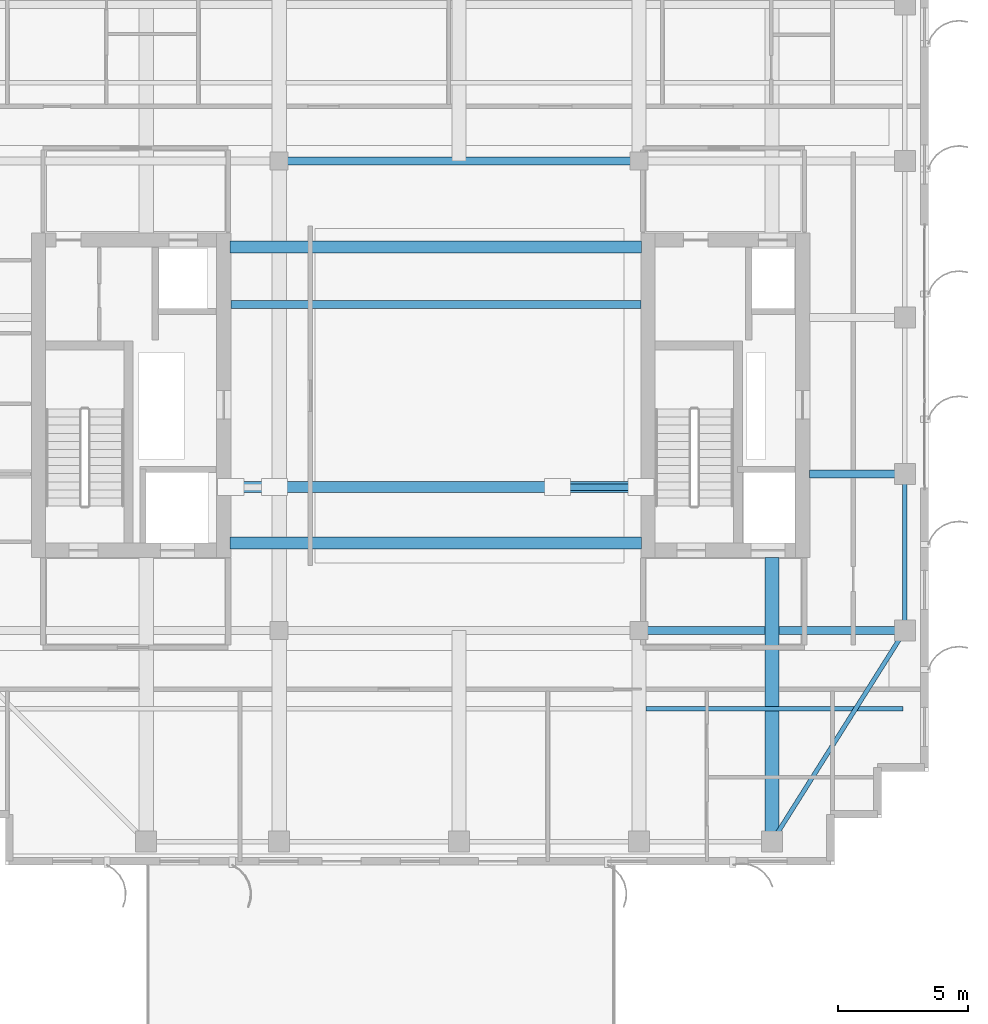
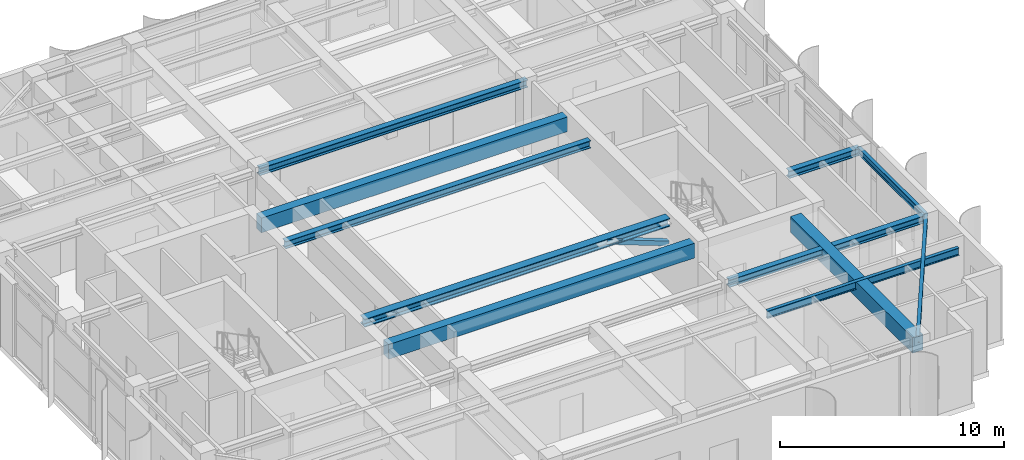
# One storey, part 5 of 19: 10 beams, 2 members.
"""IFC4 building model written with IfcOpenShell, lengths in metres."""

from ifc_helpers import new_model, si_unit, direction, frame, origin, origin_2d, place, context, subcontext, project, spatial, rectangle, hollow_rectangle, i_section, extrude, source, transform, mapped, material, material_profile, profile_set, type_object, element, save


model = new_model("IFC4")

# Units and contexts
model_context = context("Model", 3, precision=1e-05, world=origin(), true_north=direction((0.0, 1.0)))
body_context = subcontext(model_context, "Body", "Model", "MODEL_VIEW")
ifc_project = project(units=[si_unit("LENGTHUNIT", "METRE"), si_unit("AREAUNIT", "SQUARE_METRE"), si_unit("VOLUMEUNIT", "CUBIC_METRE"), si_unit("PLANEANGLEUNIT", "RADIAN"), si_unit("MASSUNIT", "GRAM", prefix="KILO")], contexts=[model_context])

# Site, building, storey
site_placement = place(None, origin())
site = spatial("IfcSite", under=ifc_project, at=site_placement, CompositionType="ELEMENT")
building_placement = place(site_placement, origin())
building = spatial("IfcBuilding", under=site, at=building_placement, Name="Khoralis Quay Care Tower", CompositionType="ELEMENT")
storey_placement = place(building_placement, frame((0.0, 0.0, 285.300048828125)))
storey = spatial("IfcBuildingStorey", under=building, at=storey_placement, Name="L75", CompositionType="ELEMENT", Elevation=285.300048828125)

# Beams
ifc_material_1 = material(Name="Concrete C50/60", Category="concrete")
ifc_material_profile_1 = material_profile(ifc_material_1, rectangle(XDim=0.449951171875, YDim=0.800048828125, at=origin_2d()), Name="Concrete C50/60")
ifc_profile_set_1 = profile_set([ifc_material_profile_1], Name="Concrete C50/60")
beam_type_1 = type_object("IfcBeamType", Name="CB-RC450X800", PredefinedType="LINTEL", material=ifc_profile_set_1)
shared_shape_1 = source(origin(), body_context, "Body", "SweptSolid", [
    extrude(rectangle(XDim=0.449951171875, YDim=0.800048828125, at=origin_2d()), origin(), (0.0, 0.0, 1.0), 15.780029296875),
])
for number, where, z_axis, x_axis, name in (
    (1, (15.219970703125, 15.35009765625, 3.52001953125), (1.0, 0.0, 0.0), (0.0, 1.0, 0.0), "L75 South Core Coupling Lintel"),
    (2, (15.219970703125, 26.699951171875, 3.52001953125), (1.0, 0.0, 0.0), (0.0, 1.0, 0.0), "L75 North Core Coupling Lintel"),
):
    element("IfcBeam", number, at=place(storey_placement, frame(where, z_axis=z_axis, x_axis=x_axis)), inside=storey, type_object=beam_type_1, Name=name, PredefinedType="LINTEL", context=body_context, shape_type="MappedRepresentation", body=[
        mapped(shared_shape_1, transform((0.0, 0.0, 0.0), scale=1.0)),
    ])
ifc_material_2 = material(Name="Steel S355", Category="steel")
ifc_material_profile_2 = material_profile(ifc_material_2, i_section(OverallWidth=0.169921875, OverallDepth=0.360107421875, WebThickness=0.008056640625, FlangeThickness=0.0126953125, FilletRadius=0.01806640625, at=origin_2d()), Name="Steel S355")
ifc_profile_set_2 = profile_set([ifc_material_profile_2], Name="Steel S355")
beam_type_2 = type_object("IfcBeamType", Name="BM-IPE360", PredefinedType="SPANDREL", material=ifc_profile_set_2)
shared_shape_2 = source(origin(), body_context, "Body", "SweptSolid", [
    extrude(i_section(OverallWidth=0.169921875, OverallDepth=0.360107421875, WebThickness=0.008056640625, FlangeThickness=0.0126953125, FilletRadius=0.01806640625, at=origin_2d()), origin(), (0.0, 0.0, 1.0), 6.0),
])
beam_1_placement = place(storey_placement, frame((41.10009765625, 12.0, 3.739990234375), z_axis=(0.0, 1.0, 0.0), x_axis=(-1.0, 0.0, 0.0)))
element("IfcBeam", 3, at=beam_1_placement, inside=storey, type_object=beam_type_2, Name="BM-TSP-L75-13", PredefinedType="SPANDREL", context=body_context, shape_type="MappedRepresentation", body=[
    mapped(shared_shape_2, transform((0.0, 0.0, 0.0), scale=1.0)),
])
shared_shape_3 = source(origin(), body_context, "Body", "SweptSolid", [
    extrude(i_section(OverallWidth=0.169921875, OverallDepth=0.360107421875, WebThickness=0.008056640625, FlangeThickness=0.0126953125, FilletRadius=0.01806640625, at=origin_2d()), origin(), (0.0, 0.0, 1.0), 9.572021484375),
])
beam_2_placement = place(storey_placement, frame((36.0, 3.89990234375, 3.739990234375), z_axis=(0.532815975602, 0.846231136359, 0.0), x_axis=(-0.846231136359, 0.532815975602, 0.0)))
element("IfcBeam", 4, at=beam_2_placement, inside=storey, type_object=beam_type_2, Name="BM-TCR-L75-18", PredefinedType="SPANDREL", context=body_context, shape_type="MappedRepresentation", body=[
    mapped(shared_shape_3, transform((0.0, 0.0, 0.0), scale=1.0)),
])
ifc_material_profile_3 = material_profile(ifc_material_2, i_section(OverallWidth=0.300048828125, OverallDepth=0.39990234375, WebThickness=0.013427734375, FlangeThickness=0.02392578125, FilletRadius=0.027099609375, at=origin_2d()), Name="Steel S355")
ifc_profile_set_3 = profile_set([ifc_material_profile_3], Name="Steel S355")
beam_type_3 = type_object("IfcBeamType", Name="BM-HEB400", PredefinedType="BEAM", material=ifc_profile_set_3)
shared_shape_4 = source(origin(), body_context, "Body", "SweptSolid", [
    extrude(i_section(OverallWidth=0.300048828125, OverallDepth=0.39990234375, WebThickness=0.013427734375, FlangeThickness=0.02392578125, FilletRadius=0.027099609375, at=origin_2d()), origin(), (0.0, 0.0, 1.0), 10.2001953125),
])
beam_3_placement = place(storey_placement, frame((30.89990234375, 12.0, 3.719970703125), z_axis=(1.0, 0.0, 0.0), x_axis=(0.0, 1.0, 0.0)))
element("IfcBeam", 5, at=beam_3_placement, inside=storey, type_object=beam_type_3, Name="BM-TGXE-L75-120", PredefinedType="BEAM", context=body_context, shape_type="MappedRepresentation", body=[
    mapped(shared_shape_4, transform((0.0, 0.0, 0.0), scale=1.0)),
])
shared_shape_5 = source(origin(), body_context, "Body", "SweptSolid", [
    extrude(i_section(OverallWidth=0.300048828125, OverallDepth=0.39990234375, WebThickness=0.013427734375, FlangeThickness=0.02392578125, FilletRadius=0.027099609375, at=origin_2d()), origin(), (0.0, 0.0, 1.0), 3.652099609375),
])
beam_4_placement = place(storey_placement, frame((37.447998046875, 18.0, 3.719970703125), z_axis=(1.0, 0.0, 0.0), x_axis=(0.0, 1.0, 0.0)))
element("IfcBeam", 6, at=beam_4_placement, inside=storey, type_object=beam_type_3, Name="BM-TGXE-L75-180", PredefinedType="BEAM", context=body_context, shape_type="MappedRepresentation", body=[
    mapped(shared_shape_5, transform((0.0, 0.0, 0.0), scale=1.0)),
])
ifc_material_profile_4 = material_profile(ifc_material_1, rectangle(XDim=0.550048828125, YDim=0.85009765625, at=origin_2d()), Name="Concrete C50/60")
ifc_profile_set_4 = profile_set([ifc_material_profile_4], Name="Concrete C50/60")
beam_type_4 = type_object("IfcBeamType", Name="BM-RC550X850", PredefinedType="BEAM", material=ifc_profile_set_4)
shared_shape_6 = source(origin(), body_context, "Body", "SweptSolid", [
    extrude(rectangle(XDim=0.550048828125, YDim=0.85009765625, at=origin_2d()), origin(), (0.0, 0.0, 1.0), 10.902099609375),
])
beam_5_placement = place(storey_placement, frame((36.0, 3.89990234375, 3.494873046875), z_axis=(0.0, 1.0, 0.0), x_axis=(-1.0, 0.0, 0.0)))
element("IfcBeam", 7, at=beam_5_placement, inside=storey, type_object=beam_type_4, Name="BM-TGYS-L75-360", PredefinedType="BEAM", context=body_context, shape_type="MappedRepresentation", body=[
    mapped(shared_shape_6, transform((0.0, 0.0, 0.0), scale=1.0)),
])
ifc_material_profile_5 = material_profile(ifc_material_2, i_section(OverallWidth=0.177978515625, OverallDepth=0.406982421875, WebThickness=0.0078125, FlangeThickness=0.0126953125, FilletRadius=0.012939453125, at=origin_2d()), Name="Steel S355")
ifc_profile_set_5 = profile_set([ifc_material_profile_5], Name="Steel S355")
beam_type_5 = type_object("IfcBeamType", Name="BM-W410X60", PredefinedType="JOIST", material=ifc_profile_set_5)
shared_shape_7 = source(origin(), body_context, "Body", "SweptSolid", [
    extrude(i_section(OverallWidth=0.177978515625, OverallDepth=0.406982421875, WebThickness=0.0078125, FlangeThickness=0.0126953125, FilletRadius=0.012939453125, at=origin_2d()), origin(), (0.0, 0.0, 1.0), 9.865966796875),
])
beam_6_placement = place(storey_placement, frame((31.1630859375, 9.0, 3.716552734375), z_axis=(1.0, 0.0, 0.0), x_axis=(0.0, 1.0, 0.0)))
element("IfcBeam", 8, at=beam_6_placement, inside=storey, type_object=beam_type_5, Name="BM-TJS-L75-22", PredefinedType="JOIST", context=body_context, shape_type="MappedRepresentation", body=[
    mapped(shared_shape_7, transform((0.0, 0.0, 0.0), scale=1.0)),
])
shared_shape_8 = source(origin(), body_context, "Body", "SweptSolid", [
    extrude(i_section(OverallWidth=0.300048828125, OverallDepth=0.39990234375, WebThickness=0.013427734375, FlangeThickness=0.02392578125, FilletRadius=0.027099609375, at=origin_2d()), origin(), (0.0, 0.0, 1.0), 13.7998046875),
])
beam_7_placement = place(storey_placement, frame((17.10009765625, 30.0, 3.719970703125), z_axis=(1.0, 0.0, 0.0), x_axis=(0.0, 1.0, 0.0)))
element("IfcBeam", 9, at=beam_7_placement, inside=storey, type_object=beam_type_3, Name="BM-TGCC-L75-300", PredefinedType="BEAM", context=body_context, shape_type="MappedRepresentation", body=[
    mapped(shared_shape_8, transform((0.0, 0.0, 0.0), scale=1.0)),
])
shared_shape_9 = source(origin(), body_context, "Body", "SweptSolid", [
    extrude(i_section(OverallWidth=0.300048828125, OverallDepth=0.39990234375, WebThickness=0.013427734375, FlangeThickness=0.02392578125, FilletRadius=0.027099609375, at=origin_2d()), origin(), (0.0, 0.0, 1.0), 15.723876953125),
])
beam_8_placement = place(storey_placement, frame((15.248046875, 24.5, 3.719970703125), z_axis=(1.0, 0.0, 0.0), x_axis=(0.0, 1.0, 0.0)))
element("IfcBeam", 10, at=beam_8_placement, inside=storey, type_object=beam_type_3, Name="BM-TGCC-L75-245", PredefinedType="BEAM", context=body_context, shape_type="MappedRepresentation", body=[
    mapped(shared_shape_9, transform((0.0, 0.0, 0.0), scale=1.0)),
])

# Members
ifc_material_3 = material(Name="Steel S460", Category="steel")
ifc_material_profile_6 = material_profile(ifc_material_3, i_section(OverallWidth=0.412109375, OverallDepth=0.43505859375, WebThickness=0.030029296875, FlangeThickness=0.0419921875, FilletRadius=0.014892578125, at=origin_2d()), Name="Steel S460")
ifc_profile_set_6 = profile_set([ifc_material_profile_6], Name="Steel S460")
member_type_1 = type_object("IfcMemberType", Name="CH-HD400X463", PredefinedType="CHORD", material=ifc_profile_set_6)
shared_shape_10 = source(origin(), body_context, "Body", "SweptSolid", [
    extrude(i_section(OverallWidth=0.412109375, OverallDepth=0.43505859375, WebThickness=0.030029296875, FlangeThickness=0.0419921875, FilletRadius=0.014892578125, at=origin_2d()), origin(), (0.0, 0.0, 1.0), 15.723876953125),
])
member_1_placement = place(storey_placement, frame((15.248046875, 17.5, 3.75), z_axis=(1.0, 0.0, 0.0), x_axis=(0.0, 1.0, 0.0)))
element("IfcMember", 11, at=member_1_placement, inside=storey, type_object=member_type_1, Name="L75 Sky Pool Space Truss Chord 1", PredefinedType="CHORD", context=body_context, shape_type="MappedRepresentation", body=[
    mapped(shared_shape_10, transform((0.0, 0.0, 0.0), scale=1.0)),
])
ifc_material_profile_7 = material_profile(ifc_material_2, hollow_rectangle(XDim=0.25, YDim=0.25, WallThickness=0.012451171875, at=origin_2d()), Name="Steel S355")
ifc_profile_set_7 = profile_set([ifc_material_profile_7], Name="Steel S355")
member_type_2 = type_object("IfcMemberType", Name="BR-RHS250X250X12", PredefinedType="BRACE", material=ifc_profile_set_7)
shared_shape_11 = source(origin(), body_context, "Body", "SweptSolid", [
    extrude(hollow_rectangle(XDim=0.25, YDim=0.25, WallThickness=0.012451171875, at=origin_2d()), origin(), (0.0, 0.0, 1.0), 3.403564453125),
])
member_2_placement = place(storey_placement, frame((30.95703125, 17.5, 2.550048828125), z_axis=(-0.93579158232, 0.0, 0.352553704362), x_axis=(0.0, -1.0, 0.0)))
element("IfcMember", 12, at=member_2_placement, inside=storey, type_object=member_type_2, Name="L75 Sky Pool Space Truss Diagonal 2", PredefinedType="BRACE", context=body_context, shape_type="MappedRepresentation", body=[
    mapped(shared_shape_11, transform((0.0, 0.0, 0.0), scale=1.0)),
])

save(model, "model.ifc")
